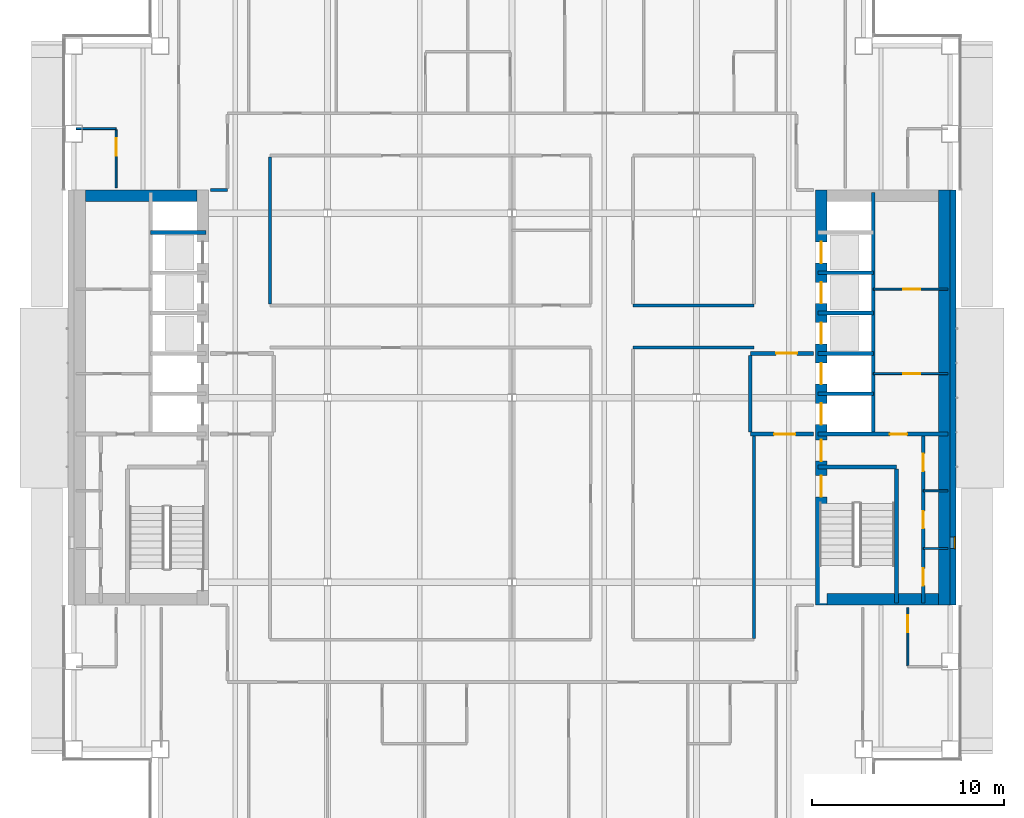
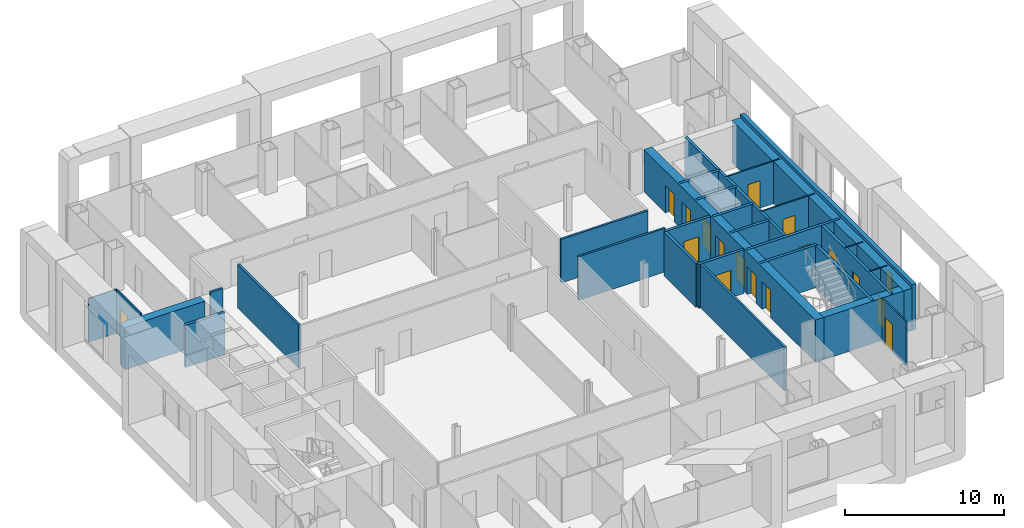
# One storey, part 12 of 20: 30 walls, 17 doors, 1 window, 18 openings.
"""IFC4 building model written with IfcOpenShell, lengths in metres."""

import ifcopenshell
import ifcopenshell.guid

model = None  # the IFC model being written
_history = None  # IfcOwnerHistory: only IFC2X3 demands one
_inside = {}  # id of a spatial element -> (the spatial element, [elements in it])
_under = {}  # id of a project, library or spatial element -> (it, [spatial elements below it])
_declared = {}  # id of a project -> (the project, [libraries it declares])
_typed = {}  # id of a type object -> (the type object, [elements of that type])
_made_of = {}  # id of a material, layer set ... -> (it, [elements and type objects made of it])


def new_model(schema):
    """Start an empty IFC model of exactly this schema.

    Asked for "IFC4X3", IfcOpenShell would pick the latest addendum, in which some entities
    have other attributes; the version numbers below select the first issue.
    IFC2X3 requires an IfcOwnerHistory on every rooted entity: one is made here for all.
    """
    global model, _history
    if schema == "IFC4X3":
        model = ifcopenshell.file(schema_version=(4, 3, 0, 0))
    else:
        model = ifcopenshell.file(schema=schema)
    _inside.clear()
    _under.clear()
    _declared.clear()
    _typed.clear()
    _made_of.clear()
    _history = None
    if model.schema == "IFC2X3":
        org = make("IfcOrganization", Name="unknown")
        user = make(
            "IfcPersonAndOrganization",
            ThePerson=make("IfcPerson", FamilyName="unknown"),
            TheOrganization=org,
        )
        app = make(
            "IfcApplication",
            ApplicationDeveloper=org,
            Version="unknown",
            ApplicationFullName="unknown",
            ApplicationIdentifier="unknown",
        )
        _history = make(
            "IfcOwnerHistory",
            OwningUser=user,
            OwningApplication=app,
            ChangeAction="ADDED",
            CreationDate=0,
        )
    return model


def make(cls, **values):
    """One entity of the class cls with the attributes given. An attribute that is None is left unset."""
    return model.create_entity(
        cls, **{name: value for name, value in values.items() if value is not None}
    )


def rooted(cls, **values):
    """An entity with a GlobalId (a new one), such as an element, a storey or a relation."""
    return make(cls, GlobalId=ifcopenshell.guid.new(), OwnerHistory=_history, **values)


def si_unit(unit_type, name, prefix=None):
    """IfcSIUnit, for example si_unit("LENGTHUNIT", "METRE", prefix="MILLI")."""
    return make("IfcSIUnit", UnitType=unit_type, Prefix=prefix, Name=name)


def assignment(units):
    """IfcUnitAssignment: the units of a project."""
    return None if units is None else make("IfcUnitAssignment", Units=units)


def point(xyz):
    """IfcCartesianPoint."""
    return None if xyz is None else make("IfcCartesianPoint", Coordinates=xyz)


def direction(xyz):
    """IfcDirection."""
    return None if xyz is None else make("IfcDirection", DirectionRatios=xyz)


def frame(location, z_axis=None, x_axis=None):
    """IfcAxis2Placement3D, a coordinate frame: its origin and axes. An axis left out is left unset."""
    return make(
        "IfcAxis2Placement3D",
        Location=point(location),
        Axis=direction(z_axis),
        RefDirection=direction(x_axis),
    )


def frame_2d(location, x_axis=None):
    """IfcAxis2Placement2D, a coordinate frame in the plane: its origin and x axis."""
    return make(
        "IfcAxis2Placement2D", Location=point(location), RefDirection=direction(x_axis)
    )


def origin():
    """The frame at (0, 0, 0) with its axes left unset."""
    return frame((0.0, 0.0, 0.0))


def place(relative_to, where):
    """IfcLocalPlacement: puts the frame where relative to a parent placement (None: the world)."""
    return make(
        "IfcLocalPlacement", PlacementRelTo=relative_to, RelativePlacement=where
    )


def context(
    kind, dimensions, precision=None, world=None, true_north=None, identifier=None
):
    """IfcGeometricRepresentationContext, for example the 3D "Model" context."""
    return make(
        "IfcGeometricRepresentationContext",
        ContextIdentifier=identifier,
        ContextType=kind,
        CoordinateSpaceDimension=dimensions,
        Precision=precision,
        WorldCoordinateSystem=world,
        TrueNorth=true_north,
    )


def subcontext(parent, identifier, kind, view, scale=None):
    """IfcGeometricRepresentationSubContext, for example "Body" below "Model"."""
    return make(
        "IfcGeometricRepresentationSubContext",
        ContextIdentifier=identifier,
        ContextType=kind,
        ParentContext=parent,
        TargetScale=scale,
        TargetView=view,
    )


def project(units=None, contexts=None):
    """IfcProject with its units and contexts."""
    return rooted(
        "IfcProject",
        Name="project",
        RepresentationContexts=contexts,
        UnitsInContext=assignment(units),
    )


def spatial(cls, under=None, at=None, **own):
    """A site, building, storey or space (cls), placed at a placement, below another one or the project."""
    s = rooted(cls, ObjectPlacement=at, **own)
    if under is not None:
        _under.setdefault(under.id(), (under, []))[1].append(s)
    return s


def profile(cls, at=None, kind="AREA", **sizes):
    """A parametric profile (cls). Its sizes go by their IFC names, for example OverallWidth=200.0."""
    return make(cls, ProfileType=kind, Position=at, **sizes)


def rectangle(**sizes):
    """IfcRectangleProfileDef."""
    return profile("IfcRectangleProfileDef", **sizes)


def extrude(swept, where, along, depth):
    """IfcExtrudedAreaSolid: the profile swept, set in the frame where, extruded along a direction by depth."""
    return make(
        "IfcExtrudedAreaSolid",
        SweptArea=swept,
        Position=where,
        ExtrudedDirection=direction(along),
        Depth=depth,
    )


def shape(context_of_items, identifier, shape_type, items):
    """IfcShapeRepresentation: the items that make up one representation, for example the "Body"."""
    return make(
        "IfcShapeRepresentation",
        ContextOfItems=context_of_items,
        RepresentationIdentifier=identifier,
        RepresentationType=shape_type,
        Items=items,
    )


def material(Name=None, Category=None):
    """IfcMaterial."""
    return make("IfcMaterial", Name=Name, Category=Category)


def layer(
    of_material, thickness, ventilated=None, Name=None, Category=None, Priority=None
):
    """IfcMaterialLayer: one layer of a wall or slab, of a material (None: an air gap)."""
    return make(
        "IfcMaterialLayer",
        Material=of_material,
        LayerThickness=thickness,
        IsVentilated=ventilated,
        Name=Name,
        Category=Category,
        Priority=Priority,
    )


def layer_set(layers, Name=None):
    """IfcMaterialLayerSet."""
    return make("IfcMaterialLayerSet", MaterialLayers=layers, LayerSetName=Name)


def made_of(thing, what):
    """Note that an element or type object is made of a material, layer set ...; save() writes the relation."""
    if what is not None:
        _made_of.setdefault(what.id(), (what, []))[1].append(thing)
    return thing


def type_object(cls, material=None, **own):
    """A type object (cls), such as IfcWallType, which elements share."""
    return made_of(rooted(cls, **own), material)


def element(
    cls,
    number,
    at=None,
    inside=None,
    cuts=None,
    type_object=None,
    material=None,
    context=None,
    identifier="Body",
    shape_type=None,
    held_by="IfcProductDefinitionShape",
    body=None,
    shapes=None,
    **own,
):
    """One element of the class cls, such as IfcWall. Its Tag is "e" and its number.

    at: its placement. inside: the storey or other place that contains it. cuts: it is an
    opening in that element (IfcRelVoidsElement). A single representation is given by context,
    identifier, shape_type and body (its items); several are given by shapes. held_by: the class
    of the entity that holds the representations. save() writes the other relations.
    """
    e = rooted(cls, Tag="e%d" % number, ObjectPlacement=at, **own)
    if body is not None:
        shapes = [shape(context, identifier, shape_type, body)]
    if shapes is not None:
        e.Representation = make(held_by, Representations=shapes)
    if inside is not None:
        _inside.setdefault(inside.id(), (inside, []))[1].append(e)
    if cuts is not None:
        rooted(
            "IfcRelVoidsElement", RelatingBuildingElement=cuts, RelatedOpeningElement=e
        )
    if type_object is not None:
        _typed.setdefault(type_object.id(), (type_object, []))[1].append(e)
    return made_of(e, material)


def fill(opening, filler):
    """IfcRelFillsElement: the door or window that sits in an opening."""
    return rooted(
        "IfcRelFillsElement",
        RelatingOpeningElement=opening,
        RelatedBuildingElement=filler,
    )


def aggregate(whole, parts):
    """IfcRelAggregates: a whole, such as a stair, and the parts it consists of."""
    return rooted("IfcRelAggregates", RelatingObject=whole, RelatedObjects=parts)


def save(model, path):
    """Write the relations noted so far, then the file.

    IfcRelAggregates (storeys below a building ...), IfcRelContainedInSpatialStructure (elements
    in a storey), IfcRelDefinesByType, IfcRelAssociatesMaterial and IfcRelDeclares: one each for
    every whole, place, type object, material and project.
    """
    for whole, parts in _under.values():
        aggregate(whole, parts)
    for where, things in _inside.values():
        rooted(
            "IfcRelContainedInSpatialStructure",
            RelatedElements=things,
            RelatingStructure=where,
        )
    for kind, things in _typed.values():
        rooted("IfcRelDefinesByType", RelatedObjects=things, RelatingType=kind)
    for what, things in _made_of.values():
        rooted("IfcRelAssociatesMaterial", RelatedObjects=things, RelatingMaterial=what)
    for by, libraries in _declared.values():
        rooted("IfcRelDeclares", RelatingContext=by, RelatedDefinitions=libraries)
    model.write(path)


model = new_model("IFC4")

# Units and contexts
model_context = context("Model", 3, precision=1e-05, world=origin(), true_north=direction((0.0, 1.0)))
body_context = subcontext(model_context, "Body", "Model", "MODEL_VIEW")
ifc_project = project(units=[si_unit("LENGTHUNIT", "METRE"), si_unit("AREAUNIT", "SQUARE_METRE"), si_unit("VOLUMEUNIT", "CUBIC_METRE"), si_unit("PLANEANGLEUNIT", "RADIAN"), si_unit("MASSUNIT", "GRAM", prefix="KILO")], contexts=[model_context])

# Site, building, storey
site_placement = place(None, origin())
site = spatial("IfcSite", under=ifc_project, at=site_placement, CompositionType="ELEMENT")
building_placement = place(site_placement, origin())
building = spatial("IfcBuilding", under=site, at=building_placement, Name="Cobrizo Arcos Hotel Tower", CompositionType="ELEMENT")
storey_placement = place(building_placement, frame((0.0, 0.0, 110.0)))
storey = spatial("IfcBuildingStorey", under=building, at=storey_placement, Name="L27", CompositionType="ELEMENT", Elevation=110.0)

# Walls
ifc_material_1 = material(Name="Gypsum board partition")
ifc_layer_1 = layer(ifc_material_1, 0.14990234375)
ifc_layer_set_1 = layer_set([ifc_layer_1], Name="Corridor wall EI 60 150")
wall_type_1 = type_object("IfcWallType", Name="Corridor wall EI 60 150", PredefinedType="PARTITIONING", material=ifc_layer_set_1)
for number, where, z_axis, x_axis, name in (
    (1, (6.300048828125, 2.60009765625, 0.0), (0.0, 0.0, 1.0), (1.0, 0.0, 0.0), "Partition 029"),
    (2, (6.300048828125, 4.800048828125, 0.0), (0.0, 0.0, 1.0), (1.0, 0.0, 0.0), "Partition 033"),
):
    element("IfcWall", number, at=place(storey_placement, frame(where, z_axis=z_axis, x_axis=x_axis)), inside=storey, type_object=wall_type_1, Name=name, PredefinedType="PARTITIONING", context=body_context, shape_type="SweptSolid", body=[
        extrude(rectangle(XDim=6.300048828125, YDim=0.14990234375, at=frame_2d((3.14990234375, 0.0))), origin(), (0.0, 0.0, 1.0), 3.35009765625),
    ])
wall_1_placement = place(storey_placement, frame((-15.679931640625, 10.800048828125, 0.0), z_axis=(0.0, 0.0, 1.0), x_axis=(1.0, 0.0, 0.0)))
element("IfcWall", 3, at=wall_1_placement, inside=storey, type_object=wall_type_1, Name="Partition 041", PredefinedType="PARTITIONING", context=body_context, shape_type="SweptSolid", body=[
    extrude(rectangle(XDim=0.8798828125, YDim=0.14990234375, at=frame_2d((0.43994140625, 0.0))), origin(), (0.0, 0.0, 1.0), 3.35009765625),
])
wall_2_placement = place(storey_placement, frame((-12.60009765625, 4.875, 0.0), z_axis=(0.0, 0.0, 1.0), x_axis=(0.0, 1.0, 0.0)))
element("IfcWall", 4, at=wall_2_placement, inside=storey, type_object=wall_type_1, Name="Partition 062", PredefinedType="PARTITIONING", context=body_context, shape_type="SweptSolid", body=[
    extrude(rectangle(XDim=7.64990234375, YDim=0.14990234375, at=frame_2d((3.824951171875, 0.0))), origin(), (0.0, 0.0, 1.0), 3.35009765625),
])
wall_3_placement = place(storey_placement, frame((12.60009765625, -12.52490234375, 0.0), z_axis=(0.0, 0.0, 1.0), x_axis=(0.0, 1.0, 0.0)))
element("IfcWall", 5, at=wall_3_placement, inside=storey, type_object=wall_type_1, Name="Partition 094", PredefinedType="PARTITIONING", context=body_context, shape_type="SweptSolid", body=[
    extrude(rectangle(XDim=10.52490234375, YDim=0.14990234375, at=frame_2d((5.262451171875, 0.0))), origin(), (0.0, 0.0, 1.0), 3.35009765625),
])

# Wall, opening, window
ifc_material_2 = material(Name="Aluminium composite panel pale metal", Category="aluminium")
ifc_layer_2 = layer(ifc_material_2, 0.300048828125)
ifc_layer_set_2 = layer_set([ifc_layer_2], Name="EW-1 insulated panel wall 300")
wall_type_2 = type_object("IfcWallType", Name="EW-1 insulated panel wall 300", PredefinedType="SOLIDWALL", material=ifc_layer_set_2)
wall_4_placement = place(storey_placement, frame((22.949951171875, -10.800048828125, 0.0), z_axis=(0.0, 0.0, 1.0), x_axis=(0.0, 1.0, 0.0)))
wall_4 = element("IfcWall", 6, at=wall_4_placement, inside=storey, type_object=wall_type_2, Name="Core face wall L27 E", PredefinedType="SOLIDWALL", context=body_context, shape_type="SweptSolid", body=[
    extrude(rectangle(XDim=21.60009765625, YDim=0.300048828125, at=frame_2d((10.800048828125, 0.0))), origin(), (0.0, 0.0, 1.0), 3.5),
])
opening_1_placement = place(wall_4_placement, frame((2.949951171875, 0.0, 1.0)))
opening_1 = element("IfcOpeningElement", 7, at=opening_1_placement, cuts=wall_4, Name="Opening W-55", PredefinedType="OPENING", context=body_context, shape_type="SweptSolid", body=[
    extrude(rectangle(XDim=0.60009765625, YDim=1.5, at=frame_2d((0.300048828125, 0.75))), frame((0.0, 0.162109375, 0.0), z_axis=(0.0, -1.0, 0.0), x_axis=(1.0, 0.0, 0.0)), (0.0, 0.0, 1.0), 0.323974609375),
])
ifc_material_3 = material(Name="Aluminium 6063-T6 and clear laminated glass", Category="aluminium")
window_type = type_object("IfcWindowType", Name="W-C1 core stair slot window 600x1500", PartitioningType="SINGLE_PANEL", PredefinedType="WINDOW", material=ifc_material_3)
window_placement = place(opening_1_placement, origin())
window = element("IfcWindow", 8, at=window_placement, inside=storey, type_object=window_type, Name="Core face wall L27 E window W-55", OverallHeight=1.5, OverallWidth=0.60009765625, PartitioningType="SINGLE_PANEL", PredefinedType="WINDOW", context=body_context, shape_type="SweptSolid", body=[
    extrude(rectangle(XDim=0.60009765625, YDim=1.5, at=frame_2d((0.300048828125, 0.75))), frame((0.0, -0.06005859375, 0.0), z_axis=(0.0, -1.0, 0.0), x_axis=(1.0, 0.0, 0.0)), (0.0, 0.0, 1.0), 0.06005859375),
])
fill(opening_1, window)

# Walls
ifc_layer_3 = layer(ifc_material_1, 0.10009765625)
ifc_layer_set_3 = layer_set([ifc_layer_3], Name="Partition EI 30 100")
wall_type_3 = type_object("IfcWallType", Name="Partition EI 30 100", PredefinedType="PARTITIONING", material=ifc_layer_set_3)
for number, where, z_axis, x_axis, name in (
    (9, (21.39990234375, -7.85009765625, 0.0), (0.0, 0.0, 1.0), (1.0, 0.0, 0.0), "Partition 011"),
    (10, (21.39990234375, -4.85009765625, 0.0), (0.0, 0.0, 1.0), (1.0, 0.0, 0.0), "Partition 013"),
):
    element("IfcWall", number, at=place(storey_placement, frame(where, z_axis=z_axis, x_axis=x_axis)), inside=storey, type_object=wall_type_3, Name=name, PredefinedType="PARTITIONING", context=body_context, shape_type="SweptSolid", body=[
        extrude(rectangle(XDim=1.280029296875, YDim=0.10009765625, at=frame_2d((0.64013671875, 0.0))), origin(), (0.0, 0.0, 1.0), 3.25),
    ])

# Wall, opening, door
wall_5_placement = place(storey_placement, frame((18.800048828125, 1.25, 0.0), z_axis=(0.0, 0.0, 1.0), x_axis=(1.0, 0.0, 0.0)))
wall_5 = element("IfcWall", 11, at=wall_5_placement, inside=storey, type_object=wall_type_3, Name="Partition 023", PredefinedType="PARTITIONING", context=body_context, shape_type="SweptSolid", body=[
    extrude(rectangle(XDim=3.8798828125, YDim=0.10009765625, at=frame_2d((1.93994140625, 0.0))), origin(), (0.0, 0.0, 1.0), 3.25),
])
opening_2_placement = place(wall_5_placement, frame((1.550048828125, 0.0, 0.0)))
opening_2 = element("IfcOpeningElement", 12, at=opening_2_placement, cuts=wall_5, Name="Opening RD-09", PredefinedType="OPENING", context=body_context, shape_type="SweptSolid", body=[
    extrude(rectangle(XDim=0.89990234375, YDim=2.10009765625, at=frame_2d((0.449951171875, 1.050048828125))), frame((0.0, 0.06201171875, 0.0), z_axis=(0.0, -1.0, 0.0), x_axis=(1.0, 0.0, 0.0)), (0.0, 0.0, 1.0), 0.1240234375),
])
ifc_material_4 = material(Name="Timber door leaf", Category="wood")
door_type_1 = type_object("IfcDoorType", Name="Room door FD30 900x2100", OperationType="SINGLE_SWING_LEFT", PredefinedType="DOOR", material=ifc_material_4)
door_1_placement = place(opening_2_placement, origin())
door_1 = element("IfcDoor", 13, at=door_1_placement, inside=storey, type_object=door_type_1, Name="Door RD-09", OperationType="SINGLE_SWING_RIGHT", OverallHeight=2.10009765625, OverallWidth=0.89990234375, PredefinedType="DOOR", context=body_context, shape_type="SweptSolid", body=[
    extrude(rectangle(XDim=0.89990234375, YDim=2.10009765625, at=frame_2d((0.449951171875, 1.050048828125))), frame((0.0, 0.02490234375, 0.0), z_axis=(0.0, -1.0, 0.0), x_axis=(1.0, 0.0, 0.0)), (0.0, 0.0, 1.0), 0.050048828125),
])
fill(opening_2, door_1)

wall_6_placement = place(storey_placement, frame((18.800048828125, 5.64990234375, 0.0), z_axis=(0.0, 0.0, 1.0), x_axis=(1.0, 0.0, 0.0)))
wall_6 = element("IfcWall", 14, at=wall_6_placement, inside=storey, type_object=wall_type_3, Name="Partition 035", PredefinedType="PARTITIONING", context=body_context, shape_type="SweptSolid", body=[
    extrude(rectangle(XDim=3.8798828125, YDim=0.10009765625, at=frame_2d((1.93994140625, 0.0))), origin(), (0.0, 0.0, 1.0), 3.25),
])
opening_3_placement = place(wall_6_placement, frame((1.550048828125, 0.0, 0.0)))
opening_3 = element("IfcOpeningElement", 15, at=opening_3_placement, cuts=wall_6, Name="Opening RD-10", PredefinedType="OPENING", context=body_context, shape_type="SweptSolid", body=[
    extrude(rectangle(XDim=0.89990234375, YDim=2.10009765625, at=frame_2d((0.449951171875, 1.050048828125))), frame((0.0, 0.06201171875, 0.0), z_axis=(0.0, -1.0, 0.0), x_axis=(1.0, 0.0, 0.0)), (0.0, 0.0, 1.0), 0.1240234375),
])
door_2_placement = place(opening_3_placement, origin())
door_2 = element("IfcDoor", 16, at=door_2_placement, inside=storey, type_object=door_type_1, Name="Door RD-10", OperationType="SINGLE_SWING_LEFT", OverallHeight=2.10009765625, OverallWidth=0.89990234375, PredefinedType="DOOR", context=body_context, shape_type="SweptSolid", body=[
    extrude(rectangle(XDim=0.89990234375, YDim=2.10009765625, at=frame_2d((0.449951171875, 1.050048828125))), frame((0.0, 0.02490234375, 0.0), z_axis=(0.0, -1.0, 0.0), x_axis=(1.0, 0.0, 0.0)), (0.0, 0.0, 1.0), 0.050048828125),
])
fill(opening_3, door_2)

# Wall
wall_7_placement = place(storey_placement, frame((-22.679931640625, 14.0, 0.0), z_axis=(0.0, 0.0, 1.0), x_axis=(1.0, 0.0, 0.0)))
element("IfcWall", 17, at=wall_7_placement, inside=storey, type_object=wall_type_3, Name="Partition 045", PredefinedType="PARTITIONING", context=body_context, shape_type="SweptSolid", body=[
    extrude(rectangle(XDim=2.079833984375, YDim=0.10009765625, at=frame_2d((1.0400390625, 0.0))), origin(), (0.0, 0.0, 1.0), 3.35009765625),
])

# Wall, opening, door
wall_8_placement = place(storey_placement, frame((-20.60009765625, 10.919921875, 0.0), z_axis=(0.0, 0.0, 1.0), x_axis=(0.0, 1.0, 0.0)))
wall_8 = element("IfcWall", 18, at=wall_8_placement, inside=storey, type_object=wall_type_3, Name="Partition 052", PredefinedType="PARTITIONING", context=body_context, shape_type="SweptSolid", body=[
    extrude(rectangle(XDim=3.030029296875, YDim=0.10009765625, at=frame_2d((1.51513671875, 0.0))), origin(), (0.0, 0.0, 1.0), 3.35009765625),
])
opening_4_placement = place(wall_8_placement, frame((1.669921875, 0.0, 0.0)))
opening_4 = element("IfcOpeningElement", 19, at=opening_4_placement, cuts=wall_8, Name="Opening ED-10", PredefinedType="OPENING", context=body_context, shape_type="SweptSolid", body=[
    extrude(rectangle(XDim=0.89990234375, YDim=2.10009765625, at=frame_2d((0.449951171875, 1.050048828125))), frame((0.0, 0.06201171875, 0.0), z_axis=(0.0, -1.0, 0.0), x_axis=(1.0, 0.0, 0.0)), (0.0, 0.0, 1.0), 0.1240234375),
])
door_type_2 = type_object("IfcDoorType", Name="En-suite door 900x2100", OperationType="SINGLE_SWING_LEFT", PredefinedType="DOOR", material=ifc_material_4)
door_3_placement = place(opening_4_placement, origin())
door_3 = element("IfcDoor", 20, at=door_3_placement, inside=storey, type_object=door_type_2, Name="Door ED-10", OperationType="SINGLE_SWING_RIGHT", OverallHeight=2.10009765625, OverallWidth=0.89990234375, PredefinedType="DOOR", context=body_context, shape_type="SweptSolid", body=[
    extrude(rectangle(XDim=0.89990234375, YDim=2.10009765625, at=frame_2d((0.449951171875, 1.050048828125))), frame((0.0, 0.02490234375, 0.0), z_axis=(0.0, -1.0, 0.0), x_axis=(1.0, 0.0, 0.0)), (0.0, 0.0, 1.0), 0.050048828125),
])
fill(opening_4, door_3)

wall_9_placement = place(storey_placement, frame((20.60009765625, -13.949951171875, 0.0), z_axis=(0.0, 0.0, 1.0), x_axis=(0.0, 1.0, 0.0)))
wall_9 = element("IfcWall", 21, at=wall_9_placement, inside=storey, type_object=wall_type_3, Name="Partition 104", PredefinedType="PARTITIONING", context=body_context, shape_type="SweptSolid", body=[
    extrude(rectangle(XDim=3.030029296875, YDim=0.10009765625, at=frame_2d((1.51513671875, 0.0))), origin(), (0.0, 0.0, 1.0), 3.35009765625),
])
opening_5_placement = place(wall_9_placement, frame((1.739990234375, 0.0, 0.0)))
opening_5 = element("IfcOpeningElement", 22, at=opening_5_placement, cuts=wall_9, Name="Opening ED-11", PredefinedType="OPENING", context=body_context, shape_type="SweptSolid", body=[
    extrude(rectangle(XDim=0.89990234375, YDim=2.10009765625, at=frame_2d((0.449951171875, 1.050048828125))), frame((0.0, 0.06201171875, 0.0), z_axis=(0.0, -1.0, 0.0), x_axis=(1.0, 0.0, 0.0)), (0.0, 0.0, 1.0), 0.1240234375),
])
door_4_placement = place(opening_5_placement, origin())
door_4 = element("IfcDoor", 23, at=door_4_placement, inside=storey, type_object=door_type_2, Name="Door ED-11", OperationType="SINGLE_SWING_LEFT", OverallHeight=2.10009765625, OverallWidth=0.89990234375, PredefinedType="DOOR", context=body_context, shape_type="SweptSolid", body=[
    extrude(rectangle(XDim=0.89990234375, YDim=2.10009765625, at=frame_2d((0.449951171875, 1.050048828125))), frame((0.0, 0.02490234375, 0.0), z_axis=(0.0, -1.0, 0.0), x_axis=(1.0, 0.0, 0.0)), (0.0, 0.0, 1.0), 0.050048828125),
])
fill(opening_5, door_4)

# Wall, openings, doors
ifc_material_5 = material(Name="Concrete f'c 50 MPa", Category="concrete")
ifc_layer_4 = layer(ifc_material_5, 0.60009765625)
ifc_layer_set_4 = layer_set([ifc_layer_4], Name="RC core wall 600 f'c 50")
wall_type_4 = type_object("IfcWallType", Name="RC core wall 600 f'c 50", PredefinedType="SHEAR", material=ifc_layer_set_4)
wall_10_placement = place(storey_placement, frame((16.10009765625, -10.800048828125, 0.0), z_axis=(0.0, 0.0, 1.0), x_axis=(0.0, 1.0, 0.0)))
wall_10 = element("IfcWall", 24, at=wall_10_placement, inside=storey, type_object=wall_type_4, Name="Core wall CW2, east core, inner face, L27", PredefinedType="SHEAR", context=body_context, shape_type="SweptSolid", body=[
    extrude(rectangle(XDim=21.60009765625, YDim=0.60009765625, at=frame_2d((10.800048828125, 0.0))), origin(), (0.0, 0.0, 1.0), 3.25),
])
opening_6_placement = place(wall_10_placement, frame((9.39990234375, 0.0, 0.0)))
opening_6 = element("IfcOpeningElement", 25, at=opening_6_placement, cuts=wall_10, Name="Opening LD-06", PredefinedType="OPENING", context=body_context, shape_type="SweptSolid", body=[
    extrude(rectangle(XDim=1.10009765625, YDim=2.10009765625, at=frame_2d((0.550048828125, 1.050048828125))), frame((0.0, 0.31201171875, 0.0), z_axis=(0.0, -1.0, 0.0), x_axis=(1.0, 0.0, 0.0)), (0.0, 0.0, 1.0), 0.6240234375),
])
opening_7_placement = place(wall_10_placement, frame((11.5, 0.0, 0.0)))
opening_7 = element("IfcOpeningElement", 26, at=opening_7_placement, cuts=wall_10, Name="Opening LD-07", PredefinedType="OPENING", context=body_context, shape_type="SweptSolid", body=[
    extrude(rectangle(XDim=1.10009765625, YDim=2.10009765625, at=frame_2d((0.550048828125, 1.050048828125))), frame((0.0, 0.31201171875, 0.0), z_axis=(0.0, -1.0, 0.0), x_axis=(1.0, 0.0, 0.0)), (0.0, 0.0, 1.0), 0.6240234375),
])
opening_8_placement = place(wall_10_placement, frame((13.60009765625, 0.0, 0.0)))
opening_8 = element("IfcOpeningElement", 27, at=opening_8_placement, cuts=wall_10, Name="Opening LD-08", PredefinedType="OPENING", context=body_context, shape_type="SweptSolid", body=[
    extrude(rectangle(XDim=1.10009765625, YDim=2.10009765625, at=frame_2d((0.550048828125, 1.050048828125))), frame((0.0, 0.31201171875, 0.0), z_axis=(0.0, -1.0, 0.0), x_axis=(1.0, 0.0, 0.0)), (0.0, 0.0, 1.0), 0.6240234375),
])
opening_9_placement = place(wall_10_placement, frame((15.699951171875, 0.0, 0.0)))
opening_9 = element("IfcOpeningElement", 28, at=opening_9_placement, cuts=wall_10, Name="Opening LD-09", PredefinedType="OPENING", context=body_context, shape_type="SweptSolid", body=[
    extrude(rectangle(XDim=1.10009765625, YDim=2.10009765625, at=frame_2d((0.550048828125, 1.050048828125))), frame((0.0, 0.31201171875, 0.0), z_axis=(0.0, -1.0, 0.0), x_axis=(1.0, 0.0, 0.0)), (0.0, 0.0, 1.0), 0.6240234375),
])
opening_10_placement = place(wall_10_placement, frame((17.800048828125, 0.0, 0.0)))
opening_10 = element("IfcOpeningElement", 29, at=opening_10_placement, cuts=wall_10, Name="Opening LD-10", PredefinedType="OPENING", context=body_context, shape_type="SweptSolid", body=[
    extrude(rectangle(XDim=1.10009765625, YDim=2.10009765625, at=frame_2d((0.550048828125, 1.050048828125))), frame((0.0, 0.31201171875, 0.0), z_axis=(0.0, -1.0, 0.0), x_axis=(1.0, 0.0, 0.0)), (0.0, 0.0, 1.0), 0.6240234375),
])
opening_11_placement = place(wall_10_placement, frame((5.64208984375, 0.0, 0.0)))
opening_11 = element("IfcOpeningElement", 30, at=opening_11_placement, cuts=wall_10, Name="Opening SD-02", PredefinedType="OPENING", context=body_context, shape_type="SweptSolid", body=[
    extrude(rectangle(XDim=1.10009765625, YDim=2.10009765625, at=frame_2d((0.550048828125, 1.050048828125))), frame((0.0, 0.31201171875, 0.0), z_axis=(0.0, -1.0, 0.0), x_axis=(1.0, 0.0, 0.0)), (0.0, 0.0, 1.0), 0.6240234375),
])
opening_12_placement = place(wall_10_placement, frame((7.5, 0.0, 0.0)))
opening_12 = element("IfcOpeningElement", 31, at=opening_12_placement, cuts=wall_10, Name="Opening FD-04", PredefinedType="OPENING", context=body_context, shape_type="SweptSolid", body=[
    extrude(rectangle(XDim=1.10009765625, YDim=2.10009765625, at=frame_2d((0.550048828125, 1.050048828125))), frame((0.0, 0.31201171875, 0.0), z_axis=(0.0, -1.0, 0.0), x_axis=(1.0, 0.0, 0.0)), (0.0, 0.0, 1.0), 0.6240234375),
])
ifc_material_6 = material(Name="Steel door leaf", Category="steel")
door_type_3 = type_object("IfcDoorType", Name="Fire door FD60 1100x2100", OperationType="SINGLE_SWING_LEFT", PredefinedType="DOOR", material=ifc_material_6)
door_5_placement = place(opening_12_placement, origin())
door_5 = element("IfcDoor", 32, at=door_5_placement, inside=storey, type_object=door_type_3, Name="Door FD-04", OperationType="SINGLE_SWING_LEFT", OverallHeight=2.10009765625, OverallWidth=1.10009765625, PredefinedType="DOOR", context=body_context, shape_type="SweptSolid", body=[
    extrude(rectangle(XDim=1.10009765625, YDim=2.10009765625, at=frame_2d((0.550048828125, 1.050048828125))), frame((0.0, 0.02490234375, 0.0), z_axis=(0.0, -1.0, 0.0), x_axis=(1.0, 0.0, 0.0)), (0.0, 0.0, 1.0), 0.050048828125),
])
fill(opening_12, door_5)
door_type_4 = type_object("IfcDoorType", Name="Lift landing door 1100x2100", OperationType="SLIDING_TO_LEFT", PredefinedType="DOOR", material=ifc_material_6)
door_6_placement = place(opening_6_placement, origin())
door_6 = element("IfcDoor", 33, at=door_6_placement, inside=storey, type_object=door_type_4, Name="Lift landing door LD-06", OperationType="SLIDING_TO_LEFT", OverallHeight=2.10009765625, OverallWidth=1.10009765625, PredefinedType="DOOR", context=body_context, shape_type="SweptSolid", body=[
    extrude(rectangle(XDim=1.10009765625, YDim=2.10009765625, at=frame_2d((0.550048828125, 1.050048828125))), frame((0.0, 0.02490234375, 0.0), z_axis=(0.0, -1.0, 0.0), x_axis=(1.0, 0.0, 0.0)), (0.0, 0.0, 1.0), 0.050048828125),
])
fill(opening_6, door_6)
door_7_placement = place(opening_7_placement, origin())
door_7 = element("IfcDoor", 34, at=door_7_placement, inside=storey, type_object=door_type_4, Name="Lift landing door LD-07", OperationType="SLIDING_TO_LEFT", OverallHeight=2.10009765625, OverallWidth=1.10009765625, PredefinedType="DOOR", context=body_context, shape_type="SweptSolid", body=[
    extrude(rectangle(XDim=1.10009765625, YDim=2.10009765625, at=frame_2d((0.550048828125, 1.050048828125))), frame((0.0, 0.02490234375, 0.0), z_axis=(0.0, -1.0, 0.0), x_axis=(1.0, 0.0, 0.0)), (0.0, 0.0, 1.0), 0.050048828125),
])
fill(opening_7, door_7)
door_8_placement = place(opening_8_placement, origin())
door_8 = element("IfcDoor", 35, at=door_8_placement, inside=storey, type_object=door_type_4, Name="Lift landing door LD-08", OperationType="SLIDING_TO_LEFT", OverallHeight=2.10009765625, OverallWidth=1.10009765625, PredefinedType="DOOR", context=body_context, shape_type="SweptSolid", body=[
    extrude(rectangle(XDim=1.10009765625, YDim=2.10009765625, at=frame_2d((0.550048828125, 1.050048828125))), frame((0.0, 0.02490234375, 0.0), z_axis=(0.0, -1.0, 0.0), x_axis=(1.0, 0.0, 0.0)), (0.0, 0.0, 1.0), 0.050048828125),
])
fill(opening_8, door_8)
door_9_placement = place(opening_9_placement, origin())
door_9 = element("IfcDoor", 36, at=door_9_placement, inside=storey, type_object=door_type_4, Name="Lift landing door LD-09", OperationType="SLIDING_TO_LEFT", OverallHeight=2.10009765625, OverallWidth=1.10009765625, PredefinedType="DOOR", context=body_context, shape_type="SweptSolid", body=[
    extrude(rectangle(XDim=1.10009765625, YDim=2.10009765625, at=frame_2d((0.550048828125, 1.050048828125))), frame((0.0, 0.02490234375, 0.0), z_axis=(0.0, -1.0, 0.0), x_axis=(1.0, 0.0, 0.0)), (0.0, 0.0, 1.0), 0.050048828125),
])
fill(opening_9, door_9)
door_10_placement = place(opening_10_placement, origin())
door_10 = element("IfcDoor", 37, at=door_10_placement, inside=storey, type_object=door_type_4, Name="Lift landing door LD-10", OperationType="SLIDING_TO_LEFT", OverallHeight=2.10009765625, OverallWidth=1.10009765625, PredefinedType="DOOR", context=body_context, shape_type="SweptSolid", body=[
    extrude(rectangle(XDim=1.10009765625, YDim=2.10009765625, at=frame_2d((0.550048828125, 1.050048828125))), frame((0.0, 0.02490234375, 0.0), z_axis=(0.0, -1.0, 0.0), x_axis=(1.0, 0.0, 0.0)), (0.0, 0.0, 1.0), 0.050048828125),
])
fill(opening_10, door_10)
door_type_5 = type_object("IfcDoorType", Name="Stair door FD60S 1100x2100", OperationType="SINGLE_SWING_LEFT", PredefinedType="DOOR", material=ifc_material_6)
door_11_placement = place(opening_11_placement, origin())
door_11 = element("IfcDoor", 38, at=door_11_placement, inside=storey, type_object=door_type_5, Name="Door SD-02", OperationType="SINGLE_SWING_RIGHT", OverallHeight=2.10009765625, OverallWidth=1.10009765625, PredefinedType="DOOR", context=body_context, shape_type="SweptSolid", body=[
    extrude(rectangle(XDim=1.10009765625, YDim=2.10009765625, at=frame_2d((0.550048828125, 1.050048828125))), frame((0.0, 0.02490234375, 0.0), z_axis=(0.0, -1.0, 0.0), x_axis=(1.0, 0.0, 0.0)), (0.0, 0.0, 1.0), 0.050048828125),
])
fill(opening_11, door_11)

# Walls
wall_11_placement = place(storey_placement, frame((22.5, -10.800048828125, 0.0), z_axis=(0.0, 0.0, 1.0), x_axis=(0.0, 1.0, 0.0)))
element("IfcWall", 39, at=wall_11_placement, inside=storey, type_object=wall_type_4, Name="Core wall CW2, east core, outer face, L27", PredefinedType="SHEAR", context=body_context, shape_type="SweptSolid", body=[
    extrude(rectangle(XDim=21.60009765625, YDim=0.60009765625, at=frame_2d((10.800048828125, 0.0))), origin(), (0.0, 0.0, 1.0), 3.25),
])
for number, where, z_axis, x_axis, name in (
    (40, (16.39990234375, -10.5, 0.0), (0.0, 0.0, 1.0), (1.0, 0.0, 0.0), "Core wall CW2, east core, south end, L27"),
    (41, (-22.199951171875, 10.5, 0.0), (0.0, 0.0, 1.0), (1.0, 0.0, 0.0), "Core wall CW2, west core, north end, L27"),
):
    element("IfcWall", number, at=place(storey_placement, frame(where, z_axis=z_axis, x_axis=x_axis)), inside=storey, type_object=wall_type_4, Name=name, PredefinedType="SHEAR", context=body_context, shape_type="SweptSolid", body=[
        extrude(rectangle(XDim=5.800048828125, YDim=0.60009765625, at=frame_2d((2.89990234375, 0.0))), origin(), (0.0, 0.0, 1.0), 3.25),
    ])

# Wall, opening, door
ifc_layer_5 = layer(ifc_material_1, 0.199951171875)
ifc_layer_set_5 = layer_set([ifc_layer_5], Name="Shaft wall EI 120 200")
wall_type_5 = type_object("IfcWallType", Name="Shaft wall EI 120 200", PredefinedType="PARTITIONING", material=ifc_layer_set_5)
wall_12_placement = place(storey_placement, frame((12.39990234375, -1.89990234375, 0.0), z_axis=(0.0, 0.0, 1.0), x_axis=(1.0, 0.0, 0.0)))
wall_12 = element("IfcWall", 42, at=wall_12_placement, inside=storey, type_object=wall_type_5, Name="Partition 018", PredefinedType="PARTITIONING", context=body_context, shape_type="SweptSolid", body=[
    extrude(rectangle(XDim=3.280029296875, YDim=0.199951171875, at=frame_2d((1.64013671875, 0.0))), origin(), (0.0, 0.0, 1.0), 3.35009765625),
])
opening_13_placement = place(wall_12_placement, frame((1.239990234375, 0.0, 0.0)))
opening_13 = element("IfcOpeningElement", 43, at=opening_13_placement, cuts=wall_12, Name="Opening FD-05", PredefinedType="OPENING", context=body_context, shape_type="SweptSolid", body=[
    extrude(rectangle(XDim=1.10009765625, YDim=2.10009765625, at=frame_2d((0.550048828125, 1.050048828125))), frame((0.0, 0.112060546875, 0.0), z_axis=(0.0, -1.0, 0.0), x_axis=(1.0, 0.0, 0.0)), (0.0, 0.0, 1.0), 0.223876953125),
])
door_12_placement = place(opening_13_placement, origin())
door_12 = element("IfcDoor", 44, at=door_12_placement, inside=storey, type_object=door_type_3, Name="Door FD-05", OperationType="SINGLE_SWING_RIGHT", OverallHeight=2.10009765625, OverallWidth=1.10009765625, PredefinedType="DOOR", context=body_context, shape_type="SweptSolid", body=[
    extrude(rectangle(XDim=1.10009765625, YDim=2.10009765625, at=frame_2d((0.550048828125, 1.050048828125))), frame((0.0, 0.02490234375, 0.0), z_axis=(0.0, -1.0, 0.0), x_axis=(1.0, 0.0, 0.0)), (0.0, 0.0, 1.0), 0.050048828125),
])
fill(opening_13, door_12)

wall_13_placement = place(storey_placement, frame((15.919921875, -1.89990234375, 0.0), z_axis=(0.0, 0.0, 1.0), x_axis=(1.0, 0.0, 0.0)))
wall_13 = element("IfcWall", 45, at=wall_13_placement, inside=storey, type_object=wall_type_5, Name="Partition 019", PredefinedType="PARTITIONING", context=body_context, shape_type="SweptSolid", body=[
    extrude(rectangle(XDim=6.760009765625, YDim=0.199951171875, at=frame_2d((3.3798828125, 0.0))), origin(), (0.0, 0.0, 1.0), 3.25),
])
opening_14_placement = place(wall_13_placement, frame((3.739990234375, 0.0, 0.0)))
opening_14 = element("IfcOpeningElement", 46, at=opening_14_placement, cuts=wall_13, Name="Opening RD-08", PredefinedType="OPENING", context=body_context, shape_type="SweptSolid", body=[
    extrude(rectangle(XDim=0.89990234375, YDim=2.10009765625, at=frame_2d((0.449951171875, 1.050048828125))), frame((0.0, 0.112060546875, 0.0), z_axis=(0.0, -1.0, 0.0), x_axis=(1.0, 0.0, 0.0)), (0.0, 0.0, 1.0), 0.223876953125),
])
door_13_placement = place(opening_14_placement, origin())
door_13 = element("IfcDoor", 47, at=door_13_placement, inside=storey, type_object=door_type_1, Name="Door RD-08", OperationType="SINGLE_SWING_RIGHT", OverallHeight=2.10009765625, OverallWidth=0.89990234375, PredefinedType="DOOR", context=body_context, shape_type="SweptSolid", body=[
    extrude(rectangle(XDim=0.89990234375, YDim=2.10009765625, at=frame_2d((0.449951171875, 1.050048828125))), frame((0.0, 0.02490234375, 0.0), z_axis=(0.0, -1.0, 0.0), x_axis=(1.0, 0.0, 0.0)), (0.0, 0.0, 1.0), 0.050048828125),
])
fill(opening_14, door_13)

# Wall
wall_14_placement = place(storey_placement, frame((15.919921875, 0.199951171875, 0.0), z_axis=(0.0, 0.0, 1.0), x_axis=(1.0, 0.0, 0.0)))
element("IfcWall", 48, at=wall_14_placement, inside=storey, type_object=wall_type_5, Name="Partition 021", PredefinedType="PARTITIONING", context=body_context, shape_type="SweptSolid", body=[
    extrude(rectangle(XDim=2.880126953125, YDim=0.199951171875, at=frame_2d((1.43994140625, 0.0))), origin(), (0.0, 0.0, 1.0), 3.25),
])

# Wall, opening, door
wall_15_placement = place(storey_placement, frame((12.39990234375, 2.300048828125, 0.0), z_axis=(0.0, 0.0, 1.0), x_axis=(1.0, 0.0, 0.0)))
wall_15 = element("IfcWall", 49, at=wall_15_placement, inside=storey, type_object=wall_type_5, Name="Partition 026", PredefinedType="PARTITIONING", context=body_context, shape_type="SweptSolid", body=[
    extrude(rectangle(XDim=3.280029296875, YDim=0.199951171875, at=frame_2d((1.64013671875, 0.0))), origin(), (0.0, 0.0, 1.0), 3.35009765625),
])
opening_15_placement = place(wall_15_placement, frame((1.340087890625, 0.0, 0.0)))
opening_15 = element("IfcOpeningElement", 50, at=opening_15_placement, cuts=wall_15, Name="Opening FD-06", PredefinedType="OPENING", context=body_context, shape_type="SweptSolid", body=[
    extrude(rectangle(XDim=1.10009765625, YDim=2.10009765625, at=frame_2d((0.550048828125, 1.050048828125))), frame((0.0, 0.112060546875, 0.0), z_axis=(0.0, -1.0, 0.0), x_axis=(1.0, 0.0, 0.0)), (0.0, 0.0, 1.0), 0.223876953125),
])
door_14_placement = place(opening_15_placement, origin())
door_14 = element("IfcDoor", 51, at=door_14_placement, inside=storey, type_object=door_type_3, Name="Door FD-06", OperationType="SINGLE_SWING_LEFT", OverallHeight=2.10009765625, OverallWidth=1.10009765625, PredefinedType="DOOR", context=body_context, shape_type="SweptSolid", body=[
    extrude(rectangle(XDim=1.10009765625, YDim=2.10009765625, at=frame_2d((0.550048828125, 1.050048828125))), frame((0.0, 0.02490234375, 0.0), z_axis=(0.0, -1.0, 0.0), x_axis=(1.0, 0.0, 0.0)), (0.0, 0.0, 1.0), 0.050048828125),
])
fill(opening_15, door_14)

# Walls
for number, where, z_axis, x_axis, name in (
    (52, (15.919921875, 2.300048828125, 0.0), (0.0, 0.0, 1.0), (1.0, 0.0, 0.0), "Partition 027"),
    (53, (15.919921875, 4.39990234375, 0.0), (0.0, 0.0, 1.0), (1.0, 0.0, 0.0), "Partition 031"),
    (54, (15.919921875, 6.5, 0.0), (0.0, 0.0, 1.0), (1.0, 0.0, 0.0), "Partition 037"),
    (55, (-18.800048828125, 8.60009765625, 0.0), (0.0, 0.0, 1.0), (1.0, 0.0, 0.0), "Partition 038"),
):
    element("IfcWall", number, at=place(storey_placement, frame(where, z_axis=z_axis, x_axis=x_axis)), inside=storey, type_object=wall_type_5, Name=name, PredefinedType="PARTITIONING", context=body_context, shape_type="SweptSolid", body=[
        extrude(rectangle(XDim=2.880126953125, YDim=0.199951171875, at=frame_2d((1.43994140625, 0.0))), origin(), (0.0, 0.0, 1.0), 3.25),
    ])
wall_16_placement = place(storey_placement, frame((12.39990234375, -1.800048828125, 0.0), z_axis=(0.0, 0.0, 1.0), x_axis=(0.0, 1.0, 0.0)))
element("IfcWall", 56, at=wall_16_placement, inside=storey, type_object=wall_type_5, Name="Partition 093", PredefinedType="PARTITIONING", context=body_context, shape_type="SweptSolid", body=[
    extrude(rectangle(XDim=4.0, YDim=0.199951171875, at=frame_2d((2.0, 0.0))), origin(), (0.0, 0.0, 1.0), 3.35009765625),
])
wall_17_placement = place(storey_placement, frame((18.800048828125, -1.800048828125, 0.0), z_axis=(0.0, 0.0, 1.0), x_axis=(0.0, 1.0, 0.0)))
element("IfcWall", 57, at=wall_17_placement, inside=storey, type_object=wall_type_5, Name="Partition 102", PredefinedType="PARTITIONING", context=body_context, shape_type="SweptSolid", body=[
    extrude(rectangle(XDim=12.47998046875, YDim=0.199951171875, at=frame_2d((6.239990234375, 0.0))), origin(), (0.0, 0.0, 1.0), 3.25),
])

# Wall, openings, doors
wall_18_placement = place(storey_placement, frame((21.39990234375, -10.679931640625, 0.0), z_axis=(0.0, 0.0, 1.0), x_axis=(0.0, 1.0, 0.0)))
wall_18 = element("IfcWall", 58, at=wall_18_placement, inside=storey, type_object=wall_type_5, Name="Partition 106", PredefinedType="PARTITIONING", context=body_context, shape_type="SweptSolid", body=[
    extrude(rectangle(XDim=8.679931640625, YDim=0.199951171875, at=frame_2d((4.33984375, 0.0))), origin(), (0.0, 0.0, 1.0), 3.25),
])
opening_16_placement = place(wall_18_placement, frame((0.89892578125, 0.0, 0.0)))
opening_16 = element("IfcOpeningElement", 59, at=opening_16_placement, cuts=wall_18, Name="Opening RD-06", PredefinedType="OPENING", context=body_context, shape_type="SweptSolid", body=[
    extrude(rectangle(XDim=0.89990234375, YDim=2.10009765625, at=frame_2d((0.449951171875, 1.050048828125))), frame((0.0, 0.112060546875, 0.0), z_axis=(0.0, -1.0, 0.0), x_axis=(1.0, 0.0, 0.0)), (0.0, 0.0, 1.0), 0.223876953125),
])
opening_17_placement = place(wall_18_placement, frame((3.8798828125, 0.0, 0.0)))
opening_17 = element("IfcOpeningElement", 60, at=opening_17_placement, cuts=wall_18, Name="Opening ED-02", PredefinedType="OPENING", context=body_context, shape_type="SweptSolid", body=[
    extrude(rectangle(XDim=0.89990234375, YDim=2.10009765625, at=frame_2d((0.449951171875, 1.050048828125))), frame((0.0, 0.112060546875, 0.0), z_axis=(0.0, -1.0, 0.0), x_axis=(1.0, 0.0, 0.0)), (0.0, 0.0, 1.0), 0.223876953125),
])
opening_18_placement = place(wall_18_placement, frame((6.862060546875, 0.0, 0.0)))
opening_18 = element("IfcOpeningElement", 61, at=opening_18_placement, cuts=wall_18, Name="Opening RD-07", PredefinedType="OPENING", context=body_context, shape_type="SweptSolid", body=[
    extrude(rectangle(XDim=0.89990234375, YDim=2.10009765625, at=frame_2d((0.449951171875, 1.050048828125))), frame((0.0, 0.112060546875, 0.0), z_axis=(0.0, -1.0, 0.0), x_axis=(1.0, 0.0, 0.0)), (0.0, 0.0, 1.0), 0.223876953125),
])
door_15_placement = place(opening_17_placement, origin())
door_15 = element("IfcDoor", 62, at=door_15_placement, inside=storey, type_object=door_type_2, Name="Door ED-02", OperationType="SINGLE_SWING_LEFT", OverallHeight=2.10009765625, OverallWidth=0.89990234375, PredefinedType="DOOR", context=body_context, shape_type="SweptSolid", body=[
    extrude(rectangle(XDim=0.89990234375, YDim=2.10009765625, at=frame_2d((0.449951171875, 1.050048828125))), frame((0.0, 0.02490234375, 0.0), z_axis=(0.0, -1.0, 0.0), x_axis=(1.0, 0.0, 0.0)), (0.0, 0.0, 1.0), 0.050048828125),
])
fill(opening_17, door_15)
door_16_placement = place(opening_16_placement, origin())
door_16 = element("IfcDoor", 63, at=door_16_placement, inside=storey, type_object=door_type_1, Name="Door RD-06", OperationType="SINGLE_SWING_RIGHT", OverallHeight=2.10009765625, OverallWidth=0.89990234375, PredefinedType="DOOR", context=body_context, shape_type="SweptSolid", body=[
    extrude(rectangle(XDim=0.89990234375, YDim=2.10009765625, at=frame_2d((0.449951171875, 1.050048828125))), frame((0.0, 0.02490234375, 0.0), z_axis=(0.0, -1.0, 0.0), x_axis=(1.0, 0.0, 0.0)), (0.0, 0.0, 1.0), 0.050048828125),
])
fill(opening_16, door_16)
door_17_placement = place(opening_18_placement, origin())
door_17 = element("IfcDoor", 64, at=door_17_placement, inside=storey, type_object=door_type_1, Name="Door RD-07", OperationType="SINGLE_SWING_LEFT", OverallHeight=2.10009765625, OverallWidth=0.89990234375, PredefinedType="DOOR", context=body_context, shape_type="SweptSolid", body=[
    extrude(rectangle(XDim=0.89990234375, YDim=2.10009765625, at=frame_2d((0.449951171875, 1.050048828125))), frame((0.0, 0.02490234375, 0.0), z_axis=(0.0, -1.0, 0.0), x_axis=(1.0, 0.0, 0.0)), (0.0, 0.0, 1.0), 0.050048828125),
])
fill(opening_18, door_17)

# Walls
ifc_material_7 = material(Name="Concrete f'c 40 MPa", Category="concrete")
ifc_layer_6 = layer(ifc_material_7, 0.199951171875)
ifc_layer_set_6 = layer_set([ifc_layer_6], Name="Stair shaft wall 200")
wall_type_6 = type_object("IfcWallType", Name="Stair shaft wall 200", PredefinedType="SHEAR", material=ifc_layer_set_6)
wall_19_placement = place(storey_placement, frame((15.919921875, -3.60009765625, 0.0), z_axis=(0.0, 0.0, 1.0), x_axis=(1.0, 0.0, 0.0)))
element("IfcWall", 65, at=wall_19_placement, inside=storey, type_object=wall_type_6, Name="Stair shaft wall E", PredefinedType="SHEAR", context=body_context, shape_type="SweptSolid", body=[
    extrude(rectangle(XDim=4.080078125, YDim=0.199951171875, at=frame_2d((2.0400390625, 0.0))), origin(), (0.0, 0.0, 1.0), 3.25),
])
wall_20_placement = place(storey_placement, frame((20.0, -10.679931640625, 0.0), z_axis=(0.0, 0.0, 1.0), x_axis=(0.0, 1.0, 0.0)))
element("IfcWall", 66, at=wall_20_placement, inside=storey, type_object=wall_type_6, Name="Stair shaft wall E", PredefinedType="SHEAR", context=body_context, shape_type="SweptSolid", body=[
    extrude(rectangle(XDim=6.97998046875, YDim=0.199951171875, at=frame_2d((3.489990234375, 0.0))), origin(), (0.0, 0.0, 1.0), 3.25),
])

save(model, "model.ifc")
